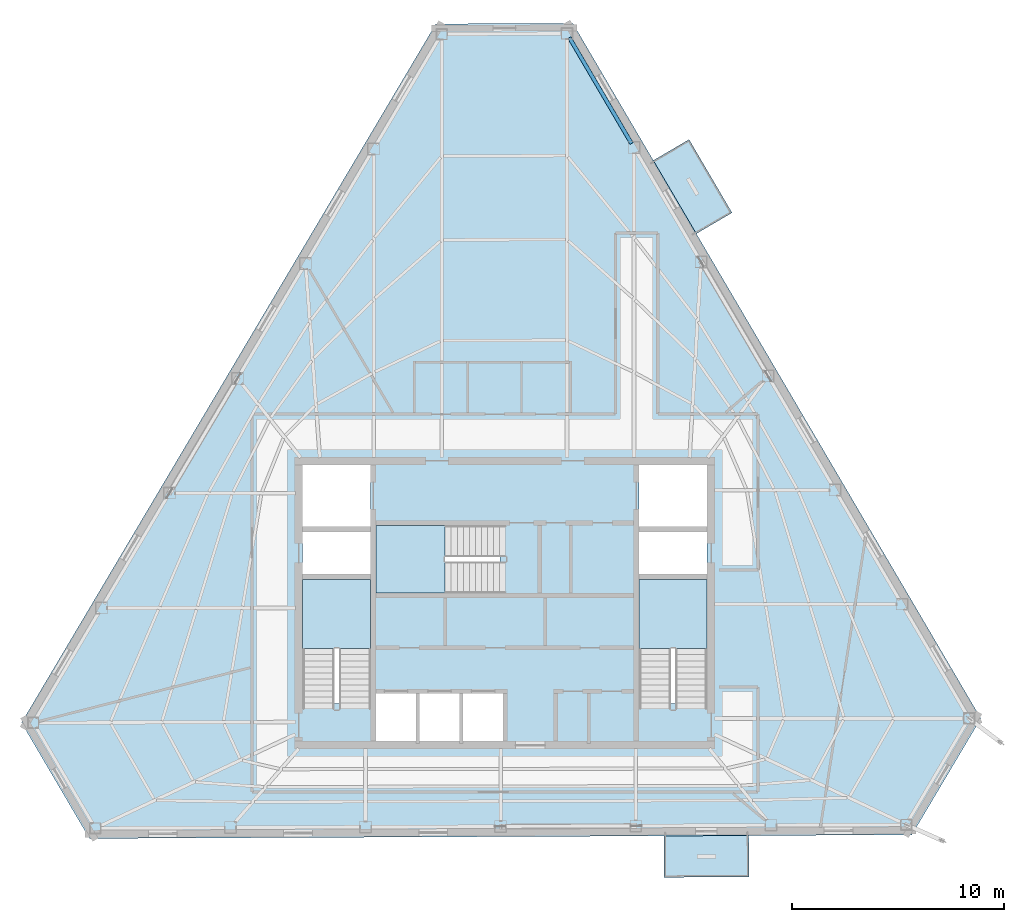
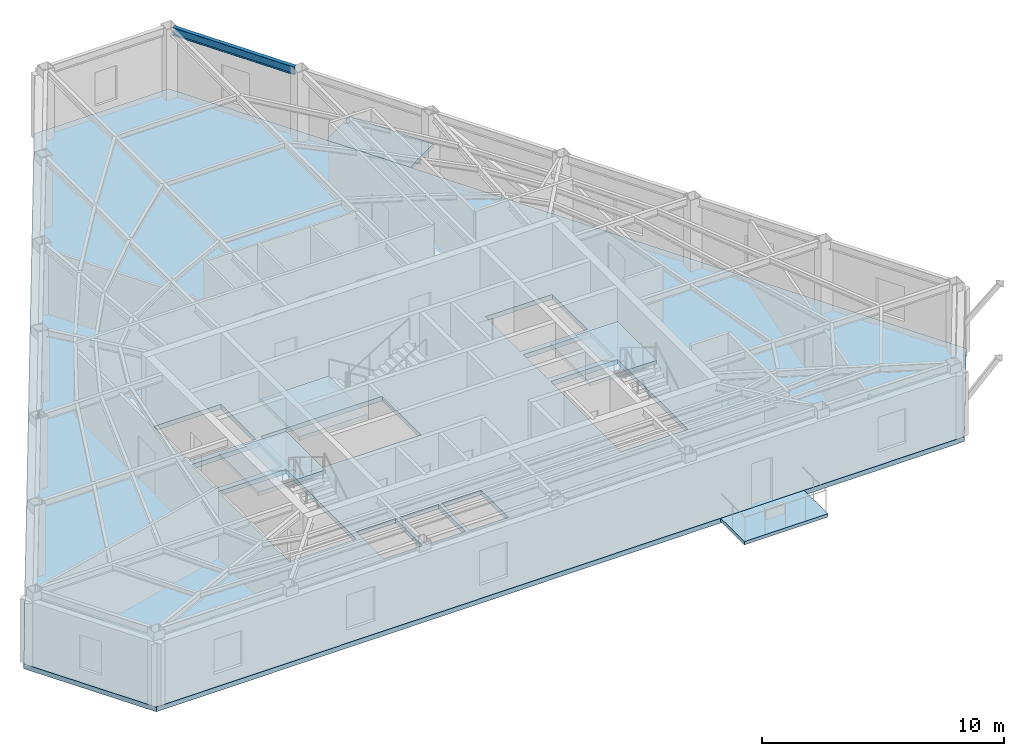
# One storey, part 3 of 9: 6 slabs, 1 beam, 3 elements without a shape of their own.
"""IFC4 building model written with IfcOpenShell, lengths in metres."""

from ifc_helpers import new_model, si_unit, direction, frame, origin, origin_2d, place, context, subcontext, project, spatial, polyline, i_section, outline, extrude, material, layer, layer_set, material_profile, profile_set, type_object, element, aggregate, save


model = new_model("IFC4")

# Units and contexts
model_context = context("Model", 3, precision=1e-05, world=origin(), true_north=direction((0.0, 1.0)))
body_context = subcontext(model_context, "Body", "Model", "MODEL_VIEW")
ifc_project = project(units=[si_unit("LENGTHUNIT", "METRE"), si_unit("AREAUNIT", "SQUARE_METRE"), si_unit("VOLUMEUNIT", "CUBIC_METRE"), si_unit("PLANEANGLEUNIT", "RADIAN"), si_unit("MASSUNIT", "GRAM", prefix="KILO")], contexts=[model_context])

# Site, building, storey
site_placement = place(None, origin())
site = spatial("IfcSite", under=ifc_project, at=site_placement, CompositionType="ELEMENT")
building_placement = place(site_placement, origin())
building = spatial("IfcBuilding", under=site, at=building_placement, Name="Kavelnor Concourse Tower", CompositionType="ELEMENT")
storey_placement = place(building_placement, frame((0.0, 0.0, 278.0)))
storey = spatial("IfcBuildingStorey", under=building, at=storey_placement, Name="L70", CompositionType="ELEMENT", Elevation=278.0)

# Beam
ifc_material_1 = material(Name="Steel Grade 350", Category="steel")
ifc_material_profile = material_profile(ifc_material_1, i_section(OverallWidth=0.177978515625, OverallDepth=0.406005859375, WebThickness=0.0078125, FlangeThickness=0.0126953125, at=origin_2d()), Name="410UB59")
ifc_profile_set = profile_set([ifc_material_profile], Name="Steel Grade 350")
beam_type = type_object("IfcBeamType", Name="BM-SPANDREL-Z4", PredefinedType="SPANDREL", material=ifc_profile_set)
beam_placement = place(storey_placement, frame((43.966064453125, 37.733154296875, 3.406982421875), z_axis=(-0.506182135505, 0.862426603077, 0.0), x_axis=(-0.862426603077, -0.506182135505, 0.0)))
element("IfcBeam", 1, at=beam_placement, inside=storey, type_object=beam_type, Name="L70 Perimeter Tube Spandrel Beam F2-B5", PredefinedType="SPANDREL", context=body_context, shape_type="SweptSolid", body=[
    extrude(i_section(OverallWidth=0.177978515625, OverallDepth=0.406005859375, WebThickness=0.0078125, FlangeThickness=0.0126953125, at=origin_2d()), origin(), (0.0, 0.0, 1.0), 5.781982421875),
])

# Slabs
ifc_material_2 = material(Name="Concrete C40/50", Category="concrete")
ifc_layer_1 = layer(ifc_material_2, 0.169921875, Name="Concrete C40/50")
ifc_layer_set_1 = layer_set([ifc_layer_1], Name="Concrete C40/50")
slab_type_1 = type_object("IfcSlabType", Name="SLB-BALCONY-170", PredefinedType="FLOOR", material=ifc_layer_set_1)
slab_1_placement = place(storey_placement, frame((0.0, 0.0, -0.169921875)))
element("IfcSlab", 2, at=slab_1_placement, inside=storey, type_object=slab_type_1, Name="L70 Cantilevered Tree Balcony Slab 1", PredefinedType="FLOOR", context=body_context, shape_type="SweptSolid", body=[
    extrude(outline(polyline([(49.49072265625, 3.201416015625), (45.49072265625, 3.18359375), (45.482177734375, 5.133544921875), (49.482177734375, 5.1513671875), (49.49072265625, 3.201416015625)])), origin(), (0.0, 0.0, 1.0), 0.169921875),
])
slab_2_placement = place(storey_placement, frame((0.0, 0.0, -0.169921875)))
element("IfcSlab", 3, at=slab_2_placement, inside=storey, type_object=slab_type_1, Name="L70 Cantilevered Tree Balcony Slab 2", PredefinedType="FLOOR", context=body_context, shape_type="SweptSolid", body=[
    extrude(outline(polyline([(46.671630859375, 37.92431640625), (48.6962890625, 34.474609375), (47.0146484375, 33.487548828125), (44.989990234375, 36.93701171875), (46.671630859375, 37.92431640625)])), origin(), (0.0, 0.0, 1.0), 0.169921875),
])

# Stair, slab
stair_type = type_object("IfcStairType", Name="STR-CORE-1500", PredefinedType="HALF_TURN_STAIR", material=ifc_material_2)
stair_1_placement = place(storey_placement, origin())
stair_1 = element("IfcStair", 4, at=stair_1_placement, inside=storey, type_object=stair_type, Name="L70 ST1", PredefinedType="HALF_TURN_STAIR")
ifc_layer_2 = layer(ifc_material_2, 0.199951171875, Name="Concrete C40/50")
ifc_layer_set_2 = layer_set([ifc_layer_2], Name="Concrete C40/50")
slab_type_2 = type_object("IfcSlabType", Name="SLB-LANDING-200", PredefinedType="LANDING", material=ifc_layer_set_2)
slab_3_placement = place(storey_placement, frame((0.0, 0.0, 1.72509765625)))
slab_3 = element("IfcSlab", 5, at=slab_3_placement, type_object=slab_type_2, Name="ST1 landing 1", PredefinedType="LANDING", context=body_context, shape_type="SweptSolid", body=[
    extrude(outline(polyline([(31.679931640625, 13.949951171875), (31.679931640625, 17.199951171875), (28.47998046875, 17.199951171875), (28.47998046875, 13.949951171875), (31.679931640625, 13.949951171875)])), origin(), (0.0, 0.0, 1.0), 0.199951171875),
])
aggregate(stair_1, [slab_3])

stair_2_placement = place(storey_placement, origin())
stair_2 = element("IfcStair", 6, at=stair_2_placement, inside=storey, type_object=stair_type, Name="L70 ST2", PredefinedType="HALF_TURN_STAIR")
slab_4_placement = place(storey_placement, frame((0.0, 0.0, 1.72509765625)))
slab_4 = element("IfcSlab", 7, at=slab_4_placement, type_object=slab_type_2, Name="ST2 landing 1", PredefinedType="LANDING", context=body_context, shape_type="SweptSolid", body=[
    extrude(outline(polyline([(47.52001953125, 13.949951171875), (47.52001953125, 17.199951171875), (44.320068359375, 17.199951171875), (44.320068359375, 13.949951171875), (47.52001953125, 13.949951171875)])), origin(), (0.0, 0.0, 1.0), 0.199951171875),
])
aggregate(stair_2, [slab_4])

stair_3_placement = place(storey_placement, origin())
stair_3 = element("IfcStair", 8, at=stair_3_placement, inside=storey, type_object=stair_type, Name="L70 ST3", PredefinedType="HALF_TURN_STAIR")
slab_5_placement = place(storey_placement, frame((0.0, 0.0, 1.72509765625)))
slab_5 = element("IfcSlab", 9, at=slab_5_placement, type_object=slab_type_2, Name="ST3 landing 1", PredefinedType="LANDING", context=body_context, shape_type="SweptSolid", body=[
    extrude(outline(polyline([(35.18994140625, 19.760009765625), (31.93994140625, 19.760009765625), (31.93994140625, 16.56005859375), (35.18994140625, 16.56005859375), (35.18994140625, 19.760009765625)])), origin(), (0.0, 0.0, 1.0), 0.199951171875),
])
aggregate(stair_3, [slab_5])

# Slab
ifc_layer_3 = layer(ifc_material_2, 0.239990234375, Name="Concrete C40/50")
ifc_layer_set_3 = layer_set([ifc_layer_3], Name="Concrete C40/50")
slab_type_3 = type_object("IfcSlabType", Name="SLB-OFFICE-240", PredefinedType="FLOOR", material=ifc_layer_set_3)
slab_6_placement = place(storey_placement, frame((0.0, 0.0, -0.239990234375)))
element("IfcSlab", 10, at=slab_6_placement, inside=storey, type_object=slab_type_3, Name="L70 Composite Structural Floor Slab", PredefinedType="FLOOR", context=body_context, shape_type="SweptSolid", body=[
    extrude(outline(polyline([(41.199462890625, 43.39501953125), (34.751220703125, 43.366455078125), (15.242919921875, 10.46484375), (18.4423828125, 5.013916015625), (57.162109375, 5.185302734375), (60.410888671875, 10.66455078125), (41.199462890625, 43.39501953125)]), holes=[polyline([(28.47998046875, 11.3798828125), (31.679931640625, 11.3798828125), (31.679931640625, 17.199951171875), (28.47998046875, 17.199951171875), (28.47998046875, 11.3798828125)]), polyline([(44.320068359375, 11.3798828125), (47.52001953125, 11.3798828125), (47.52001953125, 17.199951171875), (44.320068359375, 17.199951171875), (44.320068359375, 11.3798828125)]), polyline([(31.93994140625, 16.56005859375), (37.760009765625, 16.56005859375), (37.760009765625, 19.760009765625), (31.93994140625, 19.760009765625), (31.93994140625, 16.56005859375)]), polyline([(28.47998046875, 19.699951171875), (31.679931640625, 19.699951171875), (31.679931640625, 22.60009765625), (28.47998046875, 22.60009765625), (28.47998046875, 19.699951171875)]), polyline([(44.320068359375, 19.699951171875), (47.52001953125, 19.699951171875), (47.52001953125, 22.60009765625), (44.320068359375, 22.60009765625), (44.320068359375, 19.699951171875)]), polyline([(31.93994140625, 9.60009765625), (33.81005859375, 9.60009765625), (33.81005859375, 11.840087890625), (31.93994140625, 11.840087890625), (31.93994140625, 9.60009765625)]), polyline([(33.989990234375, 9.60009765625), (35.860107421875, 9.60009765625), (35.860107421875, 11.840087890625), (33.989990234375, 11.840087890625), (33.989990234375, 9.60009765625)]), polyline([(36.0400390625, 9.60009765625), (37.909912109375, 9.60009765625), (37.909912109375, 11.840087890625), (36.0400390625, 11.840087890625), (36.0400390625, 9.60009765625)]), polyline([(28.47998046875, 17.4599609375), (31.679931640625, 17.4599609375), (31.679931640625, 19.43994140625), (28.47998046875, 19.43994140625), (28.47998046875, 17.4599609375)]), polyline([(44.320068359375, 17.4599609375), (47.52001953125, 17.4599609375), (47.52001953125, 19.43994140625), (44.320068359375, 19.43994140625), (44.320068359375, 17.4599609375)])]), origin(), (0.0, 0.0, 1.0), 0.239990234375),
])

save(model, "model.ifc")
